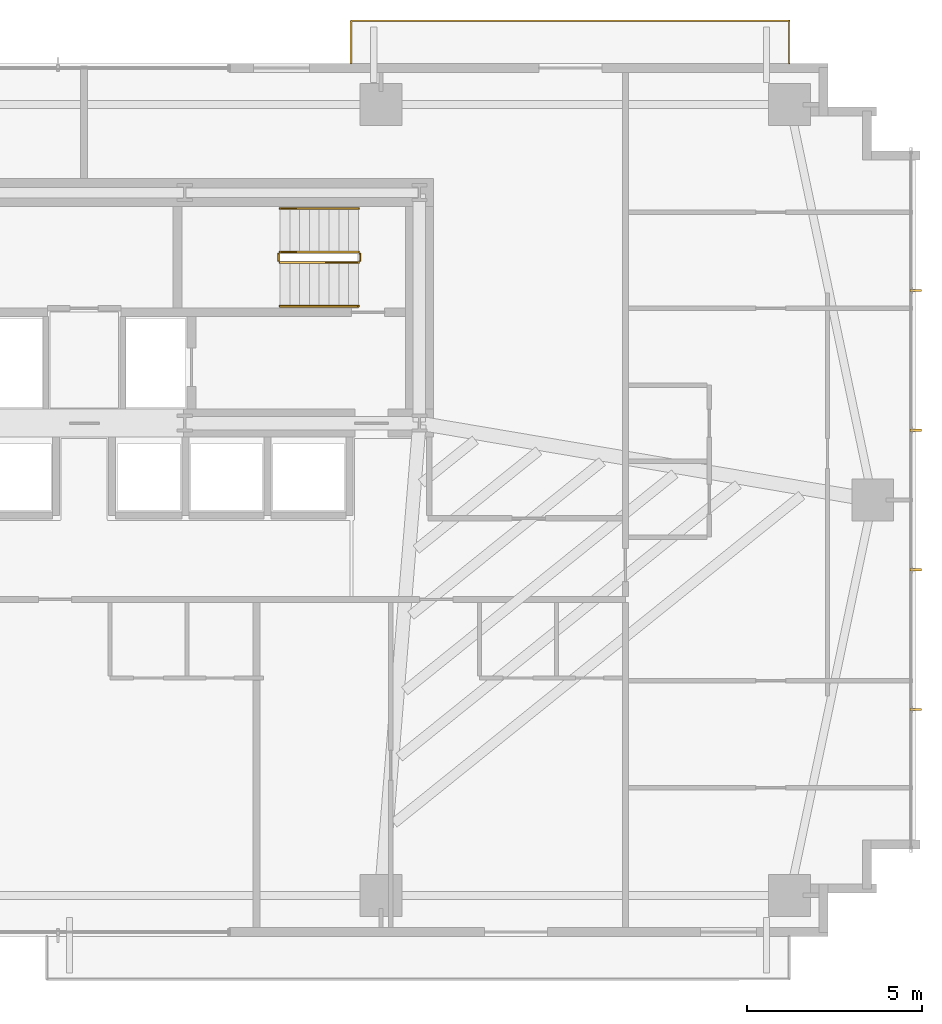
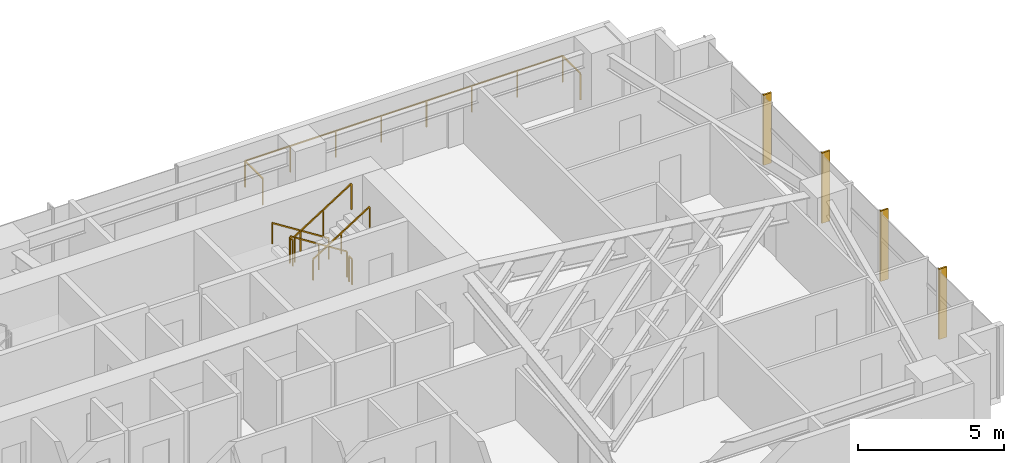
# One storey, part 25 of 25: 7 railings, 4 shading devices.
"""IFC4 building model written with IfcOpenShell, lengths in metres."""

from ifc_helpers import new_model, si_unit, direction, frame, origin, origin_2d, place, context, subcontext, project, spatial, rectangle, extrude, source, transform, mapped, material, type_object, type_shapes, element, save


model = new_model("IFC4")

# Units and contexts
model_context = context("Model", 3, precision=1e-05, world=origin(), true_north=direction((0.0, 1.0)))
body_context = subcontext(model_context, "Body", "Model", "MODEL_VIEW")
ifc_project = project(units=[si_unit("LENGTHUNIT", "METRE"), si_unit("AREAUNIT", "SQUARE_METRE"), si_unit("VOLUMEUNIT", "CUBIC_METRE"), si_unit("PLANEANGLEUNIT", "RADIAN"), si_unit("MASSUNIT", "GRAM", prefix="KILO")], contexts=[model_context])

# Site, building, storey
site_placement = place(None, origin())
site = spatial("IfcSite", under=ifc_project, at=site_placement, CompositionType="ELEMENT")
building_placement = place(site_placement, origin())
building = spatial("IfcBuilding", under=site, at=building_placement, Name="Astriad Promenade Condominiums", CompositionType="ELEMENT")
storey_placement = place(building_placement, frame((0.0, 0.0, 51.800048828125)))
storey = spatial("IfcBuildingStorey", under=building, at=storey_placement, Name="L14", CompositionType="ELEMENT", Elevation=51.800048828125)

# Shading devices
ifc_material_1 = material(Name="Anodised aluminium 6063-T6 Black Fin", Category="aluminium")
shading_device_type = type_object("IfcShadingDeviceType", Name="FIN-BLACK-320", PredefinedType="USERDEFINED", material=ifc_material_1)
shared_shape_1 = source(origin(), body_context, "Body", "SweptSolid", [
    extrude(rectangle(XDim=0.06494140625, YDim=0.320068359375, at=origin_2d()), origin(), (0.0, 0.0, 1.0), 2.93994140625),
])
type_shapes(shading_device_type, [shared_shape_1])
for number, where, z_axis, x_axis, name in (
    (1, (59.81005859375, 21.199951171875, 0.0), (0.0, 0.0, 1.0), (0.0, -1.0, 0.0), "CW-L14-E-FIN-01"),
    (2, (59.81005859375, 17.199951171875, 0.0), (0.0, 0.0, 1.0), (0.0, -1.0, 0.0), "CW-L14-E-FIN-02"),
    (3, (59.81005859375, 13.199951171875, 0.0), (0.0, 0.0, 1.0), (0.0, -1.0, 0.0), "CW-L14-E-FIN-03"),
    (4, (59.81005859375, 9.199951171875, 0.0), (0.0, 0.0, 1.0), (0.0, -1.0, 0.0), "CW-L14-E-FIN-04"),
):
    element("IfcShadingDevice", number, at=place(storey_placement, frame(where, z_axis=z_axis, x_axis=x_axis)), inside=storey, type_object=shading_device_type, Name=name, ObjectType="FIN", PredefinedType="USERDEFINED", context=body_context, shape_type="MappedRepresentation", body=[
        mapped(shared_shape_1, transform((0.0, 0.0, 0.0), scale=1.0)),
    ])

# Railings
ifc_material_2 = material(Name="Laminated Glass and Stainless Steel Balustrade", Category="steel")
railing_type_1 = type_object("IfcRailingType", Name="GRD-BALC-1120", PredefinedType="BALUSTRADE", material=ifc_material_2)
shared_shape_2 = source(origin(), body_context, "Body", "SweptSolid", [
    extrude(rectangle(XDim=0.048095703125, YDim=0.048095703125, at=origin_2d()), frame((0.0, 0.0, 1.09619140625), z_axis=(0.0, 1.0, 0.0), x_axis=(-1.0, 0.0, 0.0)), (0.0, 0.0, 1.0), 1.219970703125),
    extrude(rectangle(XDim=0.048095703125, YDim=0.048095703125, at=origin_2d()), frame((0.0, 1.219970703125, 1.09619140625), z_axis=(-1.0, 0.0, 0.0), x_axis=(0.0, -1.0, 0.0)), (0.0, 0.0, 1.0), 12.546142578125),
    extrude(rectangle(XDim=0.048095703125, YDim=0.048095703125, at=origin_2d()), frame((-12.546142578125, 1.219970703125, 1.09619140625), z_axis=(0.0, -1.0, 0.0), x_axis=(1.0, 0.0, 0.0)), (0.0, 0.0, 1.0), 1.219970703125),
    extrude(rectangle(XDim=0.0419921875, YDim=0.0419921875, at=origin_2d()), origin(), (0.0, 0.0, 1.0), 1.072021484375),
    extrude(rectangle(XDim=0.0419921875, YDim=0.0419921875, at=origin_2d()), frame((0.0, 1.219970703125, 0.0)), (0.0, 0.0, 1.0), 1.072021484375),
    extrude(rectangle(XDim=0.0419921875, YDim=0.0419921875, at=origin_2d()), frame((-1.792236328125, 1.219970703125, 0.0)), (0.0, 0.0, 1.0), 1.072021484375),
    extrude(rectangle(XDim=0.0419921875, YDim=0.0419921875, at=origin_2d()), frame((-3.584716796875, 1.219970703125, 0.0)), (0.0, 0.0, 1.0), 1.072021484375),
    extrude(rectangle(XDim=0.0419921875, YDim=0.0419921875, at=origin_2d()), frame((-5.376953125, 1.219970703125, 0.0)), (0.0, 0.0, 1.0), 1.072021484375),
    extrude(rectangle(XDim=0.0419921875, YDim=0.0419921875, at=origin_2d()), frame((-7.169189453125, 1.219970703125, 0.0)), (0.0, 0.0, 1.0), 1.072021484375),
    extrude(rectangle(XDim=0.0419921875, YDim=0.0419921875, at=origin_2d()), frame((-8.96142578125, 1.219970703125, 0.0)), (0.0, 0.0, 1.0), 1.072021484375),
    extrude(rectangle(XDim=0.0419921875, YDim=0.0419921875, at=origin_2d()), frame((-10.75390625, 1.219970703125, 0.0)), (0.0, 0.0, 1.0), 1.072021484375),
    extrude(rectangle(XDim=0.0419921875, YDim=0.0419921875, at=origin_2d()), frame((-12.546142578125, 1.219970703125, 0.0)), (0.0, 0.0, 1.0), 1.072021484375),
    extrude(rectangle(XDim=0.0419921875, YDim=0.0419921875, at=origin_2d()), frame((-12.546142578125, 0.0, 0.0)), (0.0, 0.0, 1.0), 1.072021484375),
])
type_shapes(railing_type_1, [shared_shape_2])
railing_1_placement = place(storey_placement, frame((56.18603515625, 27.699951171875, 0.0)))
element("IfcRailing", 5, at=railing_1_placement, inside=storey, type_object=railing_type_1, Name="GRD-BALC-L14-NE", PredefinedType="BALUSTRADE", context=body_context, shape_type="MappedRepresentation", body=[
    mapped(shared_shape_2, transform((0.0, 0.0, 0.0), scale=1.0)),
])
ifc_material_3 = material(Name="Painted Galvanised Steel Guardrail", Category="steel")
railing_type_2 = type_object("IfcRailingType", Name="GRD-STAIR-1100", PredefinedType="GUARDRAIL", material=ifc_material_3)
shared_shape_3 = source(origin(), body_context, "Body", "SweptSolid", [
    extrude(rectangle(XDim=0.048095703125, YDim=0.048095703125, at=origin_2d()), frame((0.0, 0.0, 1.076171875), z_axis=(-0.8442293374, 0.0, 0.53598211339), x_axis=(0.0, -1.0, 0.0)), (0.0, 0.0, 1.0), 2.6533203125),
    extrude(rectangle(XDim=0.0419921875, YDim=0.0419921875, at=origin_2d()), origin(), (0.0, 0.0, 1.0), 1.052001953125),
    extrude(rectangle(XDim=0.0419921875, YDim=0.0419921875, at=origin_2d()), frame((-1.1201171875, 0.0, 0.7109375)), (0.0, 0.0, 1.0), 1.052001953125),
    extrude(rectangle(XDim=0.0419921875, YDim=0.0419921875, at=origin_2d()), frame((-2.239990234375, 0.0, 1.422119140625)), (0.0, 0.0, 1.0), 1.052001953125),
])
railing_2_placement = place(storey_placement, frame((43.85009765625, 22.300048828125, 0.177734375)))
element("IfcRailing", 6, at=railing_2_placement, inside=storey, type_object=railing_type_2, Name="L14 ST-2 stair guard 1", PredefinedType="GUARDRAIL", context=body_context, shape_type="MappedRepresentation", body=[
    mapped(shared_shape_3, transform((0.0, 0.0, 0.0), scale=1.0)),
])
ifc_material_4 = material(Name="Brushed Stainless Steel Handrail", Category="steel")
railing_type_3 = type_object("IfcRailingType", Name="HRL-STAIR-920", PredefinedType="HANDRAIL", material=ifc_material_4)
shared_shape_4 = source(origin(), body_context, "Body", "SweptSolid", [
    extrude(rectangle(XDim=0.048095703125, YDim=0.048095703125, at=origin_2d()), frame((0.0, 0.0, 0.8759765625), z_axis=(-0.8442293374, 0.0, 0.53598211339), x_axis=(0.0, -1.0, 0.0)), (0.0, 0.0, 1.0), 2.6533203125),
    extrude(rectangle(XDim=0.0419921875, YDim=0.0419921875, at=origin_2d()), origin(), (0.0, 0.0, 1.0), 0.851806640625),
    extrude(rectangle(XDim=0.0419921875, YDim=0.0419921875, at=origin_2d()), frame((-1.1201171875, 0.0, 0.7109375)), (0.0, 0.0, 1.0), 0.851806640625),
    extrude(rectangle(XDim=0.0419921875, YDim=0.0419921875, at=origin_2d()), frame((-2.239990234375, 0.0, 1.422119140625)), (0.0, 0.0, 1.0), 0.851806640625),
])
railing_3_placement = place(storey_placement, frame((43.85009765625, 23.550048828125, 0.177734375)))
element("IfcRailing", 7, at=railing_3_placement, inside=storey, type_object=railing_type_3, Name="L14 ST-2 stair handrail 1", PredefinedType="HANDRAIL", context=body_context, shape_type="MappedRepresentation", body=[
    mapped(shared_shape_4, transform((0.0, 0.0, 0.0), scale=1.0)),
])
shared_shape_5 = source(origin(), body_context, "Body", "SweptSolid", [
    extrude(rectangle(XDim=0.048095703125, YDim=0.048095703125, at=origin_2d()), frame((0.0, 0.0, 1.076171875), z_axis=(0.8442293374, 0.0, 0.53598211339), x_axis=(0.0, 1.0, 0.0)), (0.0, 0.0, 1.0), 2.6533203125),
    extrude(rectangle(XDim=0.0419921875, YDim=0.0419921875, at=origin_2d()), origin(), (0.0, 0.0, 1.0), 1.052001953125),
    extrude(rectangle(XDim=0.0419921875, YDim=0.0419921875, at=origin_2d()), frame((1.1201171875, 0.0, 0.7109375)), (0.0, 0.0, 1.0), 1.052001953125),
    extrude(rectangle(XDim=0.0419921875, YDim=0.0419921875, at=origin_2d()), frame((2.239990234375, 0.0, 1.422119140625)), (0.0, 0.0, 1.0), 1.052001953125),
])
railing_4_placement = place(storey_placement, frame((41.610107421875, 22.0, 1.77783203125)))
element("IfcRailing", 8, at=railing_4_placement, inside=storey, type_object=railing_type_2, Name="L14 ST-2 stair guard 3", PredefinedType="GUARDRAIL", context=body_context, shape_type="MappedRepresentation", body=[
    mapped(shared_shape_5, transform((0.0, 0.0, 0.0), scale=1.0)),
])
shared_shape_6 = source(origin(), body_context, "Body", "SweptSolid", [
    extrude(rectangle(XDim=0.048095703125, YDim=0.048095703125, at=origin_2d()), frame((0.0, 0.0, 0.8759765625), z_axis=(0.8442293374, 0.0, 0.53598211339), x_axis=(0.0, 1.0, 0.0)), (0.0, 0.0, 1.0), 2.6533203125),
    extrude(rectangle(XDim=0.0419921875, YDim=0.0419921875, at=origin_2d()), origin(), (0.0, 0.0, 1.0), 0.851806640625),
    extrude(rectangle(XDim=0.0419921875, YDim=0.0419921875, at=origin_2d()), frame((1.1201171875, 0.0, 0.7109375)), (0.0, 0.0, 1.0), 0.851806640625),
    extrude(rectangle(XDim=0.0419921875, YDim=0.0419921875, at=origin_2d()), frame((2.239990234375, 0.0, 1.422119140625)), (0.0, 0.0, 1.0), 0.851806640625),
])
type_shapes(railing_type_3, [shared_shape_4, shared_shape_6])
railing_5_placement = place(storey_placement, frame((41.610107421875, 20.75, 1.77783203125)))
element("IfcRailing", 9, at=railing_5_placement, inside=storey, type_object=railing_type_3, Name="L14 ST-2 stair handrail 2", PredefinedType="HANDRAIL", context=body_context, shape_type="MappedRepresentation", body=[
    mapped(shared_shape_6, transform((0.0, 0.0, 0.0), scale=1.0)),
])
shared_shape_7 = source(origin(), body_context, "Body", "SweptSolid", [
    extrude(rectangle(XDim=0.048095703125, YDim=0.048095703125, at=origin_2d()), frame((0.0, 0.0, 1.076171875), z_axis=(0.0, -1.0, 0.0), x_axis=(1.0, 0.0, 0.0)), (0.0, 0.0, 1.0), 0.199951171875),
    extrude(rectangle(XDim=0.0419921875, YDim=0.0419921875, at=origin_2d()), origin(), (0.0, 0.0, 1.0), 1.052001953125),
    extrude(rectangle(XDim=0.0419921875, YDim=0.0419921875, at=origin_2d()), frame((0.0, -0.199951171875, 0.0)), (0.0, 0.0, 1.0), 1.052001953125),
])
type_shapes(railing_type_2, [shared_shape_3, shared_shape_5, shared_shape_7])
for number, where, name in (
    (10, (41.56005859375, 22.25, 1.599853515625), "L14 ST-2 stair guard 2"),
    (11, (43.89990234375, 22.25, 0.0), "L14 ST-2 stair guard 4"),
):
    element("IfcRailing", number, at=place(storey_placement, frame(where)), inside=storey, type_object=railing_type_2, Name=name, PredefinedType="GUARDRAIL", context=body_context, shape_type="MappedRepresentation", body=[
        mapped(shared_shape_7, transform((0.0, 0.0, 0.0), scale=1.0)),
    ])

save(model, "model.ifc")
